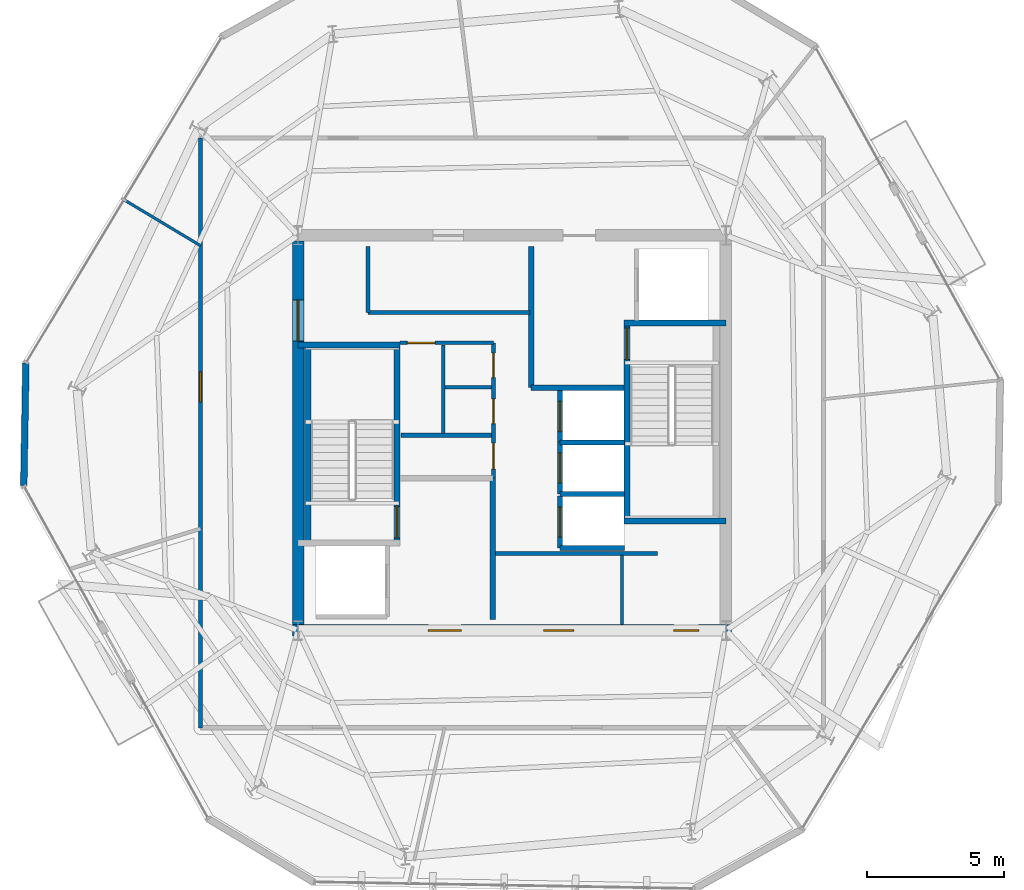
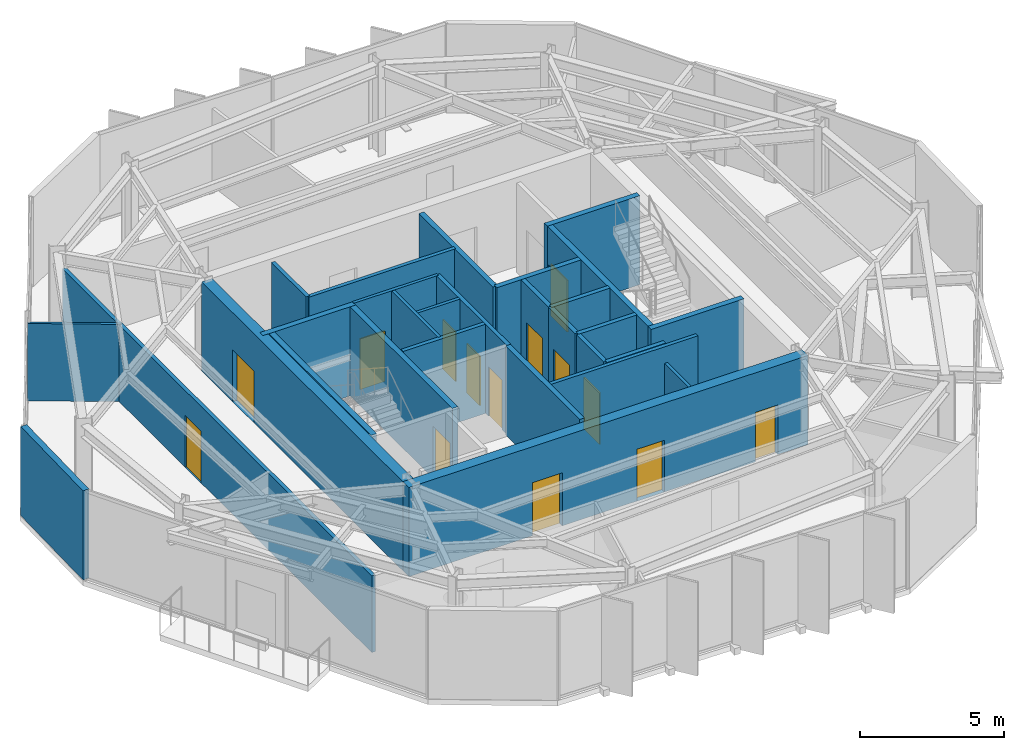
# One storey, part 7 of 10: 29 walls, 14 doors, 14 openings.
"""IFC4 building model written with IfcOpenShell, lengths in metres."""

from ifc_helpers import new_model, si_unit, direction, frame, frame_2d, origin, place, context, subcontext, project, spatial, rectangle, extrude, material, layer, layer_set, type_object, element, fill, save


model = new_model("IFC4")

# Units and contexts
model_context = context("Model", 3, precision=1e-05, world=origin(), true_north=direction((0.0, 1.0)))
body_context = subcontext(model_context, "Body", "Model", "MODEL_VIEW")
ifc_project = project(units=[si_unit("LENGTHUNIT", "METRE"), si_unit("AREAUNIT", "SQUARE_METRE"), si_unit("VOLUMEUNIT", "CUBIC_METRE"), si_unit("PLANEANGLEUNIT", "RADIAN"), si_unit("MASSUNIT", "GRAM", prefix="KILO")], contexts=[model_context])

# Site, building, storey
site_placement = place(None, origin())
site = spatial("IfcSite", under=ifc_project, at=site_placement, CompositionType="ELEMENT")
building_placement = place(site_placement, origin())
building = spatial("IfcBuilding", under=site, at=building_placement, Name="Kranzbogen Civic Tower", CompositionType="ELEMENT")
storey_placement = place(building_placement, frame((0.0, 0.0, 262.199951171875)))
storey = spatial("IfcBuildingStorey", under=building, at=storey_placement, Name="L63", CompositionType="ELEMENT", Elevation=262.199951171875)

# Walls
ifc_material_1 = material(Name="Double-Stud Acoustic Gypsum Partition")
ifc_layer_1 = layer(ifc_material_1, 0.14990234375, Name="Double-Stud Acoustic Gypsum Partition")
ifc_layer_set_1 = layer_set([ifc_layer_1], Name="Double-Stud Acoustic Gypsum Partition")
wall_type_1 = type_object("IfcWallType", Name="Acoustic Corridor and Clinical Partition 150 mm", PredefinedType="PARTITIONING", material=ifc_layer_set_1)
wall_1_placement = place(storey_placement, frame((24.39990234375, 20.610107421875, 0.0), z_axis=(0.0, 0.0, 1.0), x_axis=(1.0, 0.0, 0.0)))
element("IfcWall", 1, at=wall_1_placement, inside=storey, type_object=wall_type_1, Name="L63 records zone North wall", PredefinedType="PARTITIONING", context=body_context, shape_type="SweptSolid", body=[
    extrude(rectangle(XDim=5.900146484375, YDim=0.14990234375, at=frame_2d((2.9501953125, 0.0))), origin(), (0.0, 0.0, 1.0), 3.780029296875),
])
wall_2_placement = place(storey_placement, frame((19.75, 29.389892578125, 0.0), z_axis=(0.0, 0.0, 1.0), x_axis=(1.0, 0.0, 0.0)))
element("IfcWall", 2, at=wall_2_placement, inside=storey, type_object=wall_type_1, Name="L63 digital comms South wall", PredefinedType="PARTITIONING", context=body_context, shape_type="SweptSolid", body=[
    extrude(rectangle(XDim=5.89990234375, YDim=0.14990234375, at=frame_2d((2.949951171875, 0.0))), origin(), (0.0, 0.0, 1.0), 3.780029296875),
])
wall_3_placement = place(storey_placement, frame((19.75, 29.389892578125, 0.0), z_axis=(0.0, 0.0, 1.0), x_axis=(0.0, 1.0, 0.0)))
element("IfcWall", 3, at=wall_3_placement, inside=storey, type_object=wall_type_1, Name="L63 digital comms West wall", PredefinedType="PARTITIONING", context=body_context, shape_type="SweptSolid", body=[
    extrude(rectangle(XDim=2.41015625, YDim=0.14990234375, at=frame_2d((1.205078125, 0.0))), origin(), (0.0, 0.0, 1.0), 3.780029296875),
])

# Wall, opening, door
wall_4_placement = place(storey_placement, frame((13.64990234375, 14.25, 0.0), z_axis=(0.0, 0.0, 1.0), x_axis=(0.0, 1.0, 0.0)))
wall_4 = element("IfcWall", 4, at=wall_4_placement, inside=storey, type_object=wall_type_1, Name="L63 corridor partition 04", PredefinedType="PARTITIONING", context=body_context, shape_type="SweptSolid", body=[
    extrude(rectangle(XDim=21.5, YDim=0.14990234375, at=frame_2d((10.75, 0.0))), origin(), (0.0, 0.0, 1.0), 3.25),
])
opening_1_placement = place(wall_4_placement, frame((11.8759765625, 0.0, 0.0)))
opening_1 = element("IfcOpeningElement", 5, at=opening_1_placement, cuts=wall_4, Name="Opening D-COR60", PredefinedType="OPENING", context=body_context, shape_type="SweptSolid", body=[
    extrude(rectangle(XDim=1.10009765625, YDim=2.199951171875, at=frame_2d((0.550048828125, 1.10009765625))), frame((0.0, 0.0849609375, 0.0), z_axis=(0.0, -1.0, 0.0), x_axis=(1.0, 0.0, 0.0)), (0.0, 0.0, 1.0), 0.169921875),
])
ifc_material_2 = material(Name="Oak Timber and Fire Core", Category="wood")
door_type_1 = type_object("IfcDoorType", Name="Corridor Acoustic Fire Door 1100x2200", OperationType="NOTDEFINED", PredefinedType="DOOR", material=ifc_material_2)
door_1_placement = place(opening_1_placement, origin())
door_1 = element("IfcDoor", 6, at=door_1_placement, inside=storey, type_object=door_type_1, Name="L63 Citizen Services Kiosk door", OperationType="SINGLE_SWING_RIGHT", OverallHeight=2.199951171875, OverallWidth=1.10009765625, PredefinedType="DOOR", context=body_context, shape_type="SweptSolid", body=[
    extrude(rectangle(XDim=1.10009765625, YDim=2.199951171875, at=frame_2d((0.550048828125, 1.10009765625))), frame((0.0, 0.02490234375, 0.0), z_axis=(0.0, -1.0, 0.0), x_axis=(1.0, 0.0, 0.0)), (0.0, 0.0, 1.0), 0.050048828125),
])
fill(opening_1, door_1)

ifc_material_3 = material(Name="Insulated Metal-Stud Gypsum Partition")
ifc_layer_2 = layer(ifc_material_3, 0.125, Name="Insulated Metal-Stud Gypsum Partition")
ifc_layer_set_2 = layer_set([ifc_layer_2], Name="Insulated Metal-Stud Gypsum Partition")
wall_type_2 = type_object("IfcWallType", Name="Acoustic Inter-Room Partition 125 mm", PredefinedType="PARTITIONING", material=ifc_layer_set_2)
wall_5_placement = place(storey_placement, frame((20.919921875, 28.280029296875, 0.0), z_axis=(0.0, 0.0, 1.0), x_axis=(1.0, 0.0, 0.0)))
wall_5 = element("IfcWall", 7, at=wall_5_placement, inside=storey, type_object=wall_type_2, Name="L63 core auxiliary North wall", PredefinedType="PARTITIONING", context=body_context, shape_type="SweptSolid", body=[
    extrude(rectangle(XDim=3.405029296875, YDim=0.125, at=frame_2d((1.70263671875, 0.0))), origin(), (0.0, 0.0, 1.0), 3.780029296875),
])
opening_2_placement = place(wall_5_placement, frame((0.27001953125, 0.0, 0.0)))
opening_2 = element("IfcOpeningElement", 8, at=opening_2_placement, cuts=wall_5, Name="Opening D-RSR10", PredefinedType="OPENING", context=body_context, shape_type="SweptSolid", body=[
    extrude(rectangle(XDim=1.0, YDim=2.14990234375, at=frame_2d((0.5, 1.074951171875))), frame((0.0, 0.072509765625, 0.0), z_axis=(0.0, -1.0, 0.0), x_axis=(1.0, 0.0, 0.0)), (0.0, 0.0, 1.0), 0.14501953125),
])
door_type_2 = type_object("IfcDoorType", Name="Core Archive and Riser Fire Door 1000x2150", OperationType="NOTDEFINED", PredefinedType="DOOR", material=ifc_material_2)
door_2_placement = place(opening_2_placement, origin())
door_2 = element("IfcDoor", 9, at=door_2_placement, inside=storey, type_object=door_type_2, Name="L63 Floor Supply Store door", OperationType="SINGLE_SWING_RIGHT", OverallHeight=2.14990234375, OverallWidth=1.0, PredefinedType="DOOR", context=body_context, shape_type="SweptSolid", body=[
    extrude(rectangle(XDim=1.0, YDim=2.14990234375, at=frame_2d((0.5, 1.074951171875))), frame((0.0, 0.02490234375, 0.0), z_axis=(0.0, -1.0, 0.0), x_axis=(1.0, 0.0, 0.0)), (0.0, 0.0, 1.0), 0.050048828125),
])
fill(opening_2, door_2)

# Walls
wall_6_placement = place(storey_placement, frame((29.010009765625, 18.010009765625, 0.0), z_axis=(0.0, 0.0, 1.0), x_axis=(0.0, 1.0, 0.0)))
element("IfcWall", 10, at=wall_6_placement, inside=storey, type_object=wall_type_2, Name="L63 core auxiliary partition 1", PredefinedType="PARTITIONING", context=body_context, shape_type="SweptSolid", body=[
    extrude(rectangle(XDim=2.5400390625, YDim=0.125, at=frame_2d((1.27001953125, 0.0))), origin(), (0.0, 0.0, 1.0), 3.080078125),
])
wall_7_placement = place(storey_placement, frame((22.489990234375, 24.969970703125, 0.0), z_axis=(0.0, 0.0, 1.0), x_axis=(0.0, 1.0, 0.0)))
element("IfcWall", 11, at=wall_7_placement, inside=storey, type_object=wall_type_2, Name="L63 core auxiliary partition 3", PredefinedType="PARTITIONING", context=body_context, shape_type="SweptSolid", body=[
    extrude(rectangle(XDim=3.22998046875, YDim=0.125, at=frame_2d((1.614990234375, 0.0))), origin(), (0.0, 0.0, 1.0), 3.780029296875),
])
wall_8_placement = place(storey_placement, frame((22.550048828125, 26.659912109375, 0.0), z_axis=(0.0, 0.0, 1.0), x_axis=(1.0, 0.0, 0.0)))
element("IfcWall", 12, at=wall_8_placement, inside=storey, type_object=wall_type_2, Name="L63 core auxiliary partition 4", PredefinedType="PARTITIONING", context=body_context, shape_type="SweptSolid", body=[
    extrude(rectangle(XDim=1.699951171875, YDim=0.125, at=frame_2d((0.85009765625, 0.0))), origin(), (0.0, 0.0, 1.0), 3.780029296875),
])

# Wall, openings, doors
ifc_material_4 = material(Name="Concrete C45/55", Category="concrete")
ifc_layer_3 = layer(ifc_material_4, 0.419921875, Name="Concrete C45/55")
ifc_layer_set_3 = layer_set([ifc_layer_3], Name="Concrete C45/55")
wall_type_3 = type_object("IfcWallType", Name="Central Core Shear Wall 420 mm", PredefinedType="SHEAR", material=ifc_layer_set_3)
wall_9_placement = place(storey_placement, frame((16.989990234375, 17.800048828125, 0.0), z_axis=(0.0, 0.0, 1.0), x_axis=(1.0, 0.0, 0.0)))
wall_9 = element("IfcWall", 13, at=wall_9_placement, inside=storey, type_object=wall_type_3, Name="L63 central core South shear wall", PredefinedType="SHEAR", context=body_context, shape_type="SweptSolid", body=[
    extrude(rectangle(XDim=16.02001953125, YDim=0.419921875, at=frame_2d((8.010009765625, 0.0))), origin(), (0.0, 0.0, 1.0), 3.780029296875),
])
opening_3_placement = place(wall_9_placement, frame((4.9599609375, 0.0, 0.0)))
opening_3 = element("IfcOpeningElement", 14, at=opening_3_placement, cuts=wall_9, Name="Opening D-EX120", PredefinedType="OPENING", context=body_context, shape_type="SweptSolid", body=[
    extrude(rectangle(XDim=1.199951171875, YDim=2.25, at=frame_2d((0.60009765625, 1.125))), frame((0.0, 0.219970703125, 0.0), z_axis=(0.0, -1.0, 0.0), x_axis=(1.0, 0.0, 0.0)), (0.0, 0.0, 1.0), 0.43994140625),
])
opening_4_placement = place(wall_9_placement, frame((13.909912109375, 0.0, 0.0)))
opening_4 = element("IfcOpeningElement", 15, at=opening_4_placement, cuts=wall_9, Name="Opening D-WC90", PredefinedType="OPENING", context=body_context, shape_type="SweptSolid", body=[
    extrude(rectangle(XDim=0.89990234375, YDim=2.10009765625, at=frame_2d((0.449951171875, 1.050048828125))), frame((0.0, 0.219970703125, 0.0), z_axis=(0.0, -1.0, 0.0), x_axis=(1.0, 0.0, 0.0)), (0.0, 0.0, 1.0), 0.43994140625),
])
opening_5_placement = place(wall_9_placement, frame((9.159912109375, 0.0, 0.0)))
opening_5 = element("IfcOpeningElement", 16, at=opening_5_placement, cuts=wall_9, Name="Opening D-COR60", PredefinedType="OPENING", context=body_context, shape_type="SweptSolid", body=[
    extrude(rectangle(XDim=1.10009765625, YDim=2.199951171875, at=frame_2d((0.550048828125, 1.10009765625))), frame((0.0, 0.219970703125, 0.0), z_axis=(0.0, -1.0, 0.0), x_axis=(1.0, 0.0, 0.0)), (0.0, 0.0, 1.0), 0.43994140625),
])
door_3_placement = place(opening_5_placement, origin())
door_3 = element("IfcDoor", 17, at=door_3_placement, inside=storey, type_object=door_type_1, Name="L63 REC1 archive room door", OperationType="SINGLE_SWING_RIGHT", OverallHeight=2.199951171875, OverallWidth=1.10009765625, PredefinedType="DOOR", context=body_context, shape_type="SweptSolid", body=[
    extrude(rectangle(XDim=1.10009765625, YDim=2.199951171875, at=frame_2d((0.550048828125, 1.10009765625))), frame((0.0, 0.02490234375, 0.0), z_axis=(0.0, -1.0, 0.0), x_axis=(1.0, 0.0, 0.0)), (0.0, 0.0, 1.0), 0.050048828125),
])
fill(opening_5, door_3)
ifc_material_5 = material(Name="Steel S355", Category="steel")
door_type_3 = type_object("IfcDoorType", Name="Exit Passageway Fire Door 1200x2250", OperationType="NOTDEFINED", PredefinedType="DOOR", material=ifc_material_5)
door_4_placement = place(opening_3_placement, origin())
door_4 = element("IfcDoor", 18, at=door_4_placement, inside=storey, type_object=door_type_3, Name="L63 West firefighting lobby corridor door", OperationType="SINGLE_SWING_LEFT", OverallHeight=2.25, OverallWidth=1.199951171875, PredefinedType="DOOR", context=body_context, shape_type="SweptSolid", body=[
    extrude(rectangle(XDim=1.199951171875, YDim=2.25, at=frame_2d((0.60009765625, 1.125))), frame((0.0, 0.02490234375, 0.0), z_axis=(0.0, -1.0, 0.0), x_axis=(1.0, 0.0, 0.0)), (0.0, 0.0, 1.0), 0.050048828125),
])
fill(opening_3, door_4)
ifc_material_6 = material(Name="Moisture-Resistant Laminate")
door_type_4 = type_object("IfcDoorType", Name="Standard Restroom and Store Door 900x2100", OperationType="NOTDEFINED", PredefinedType="DOOR", material=ifc_material_6)
door_5_placement = place(opening_4_placement, origin())
door_5 = element("IfcDoor", 19, at=door_5_placement, inside=storey, type_object=door_type_4, Name="L63 East electrical riser access door", OperationType="SINGLE_SWING_LEFT", OverallHeight=2.10009765625, OverallWidth=0.89990234375, PredefinedType="DOOR", context=body_context, shape_type="SweptSolid", body=[
    extrude(rectangle(XDim=0.89990234375, YDim=2.10009765625, at=frame_2d((0.449951171875, 1.050048828125))), frame((0.0, 0.02490234375, 0.0), z_axis=(0.0, -1.0, 0.0), x_axis=(1.0, 0.0, 0.0)), (0.0, 0.0, 1.0), 0.050048828125),
])
fill(opening_4, door_5)

# Wall, opening, door
wall_10_placement = place(storey_placement, frame((17.199951171875, 31.989990234375, 0.0), z_axis=(0.0, 0.0, 1.0), x_axis=(0.0, -1.0, 0.0)))
wall_10 = element("IfcWall", 20, at=wall_10_placement, inside=storey, type_object=wall_type_3, Name="L63 central core West shear wall", PredefinedType="SHEAR", context=body_context, shape_type="SweptSolid", body=[
    extrude(rectangle(XDim=13.97998046875, YDim=0.419921875, at=frame_2d((6.989990234375, 0.0))), origin(), (0.0, 0.0, 1.0), 3.780029296875),
])
opening_6_placement = place(wall_10_placement, frame((2.139892578125, 0.0, 0.0)))
opening_6 = element("IfcOpeningElement", 21, at=opening_6_placement, cuts=wall_10, Name="Opening D-DBL15", PredefinedType="OPENING", context=body_context, shape_type="SweptSolid", body=[
    extrude(rectangle(XDim=1.5, YDim=2.199951171875, at=frame_2d((0.75, 1.10009765625))), frame((0.0, 0.219970703125, 0.0), z_axis=(0.0, -1.0, 0.0), x_axis=(1.0, 0.0, 0.0)), (0.0, 0.0, 1.0), 0.43994140625),
])
ifc_material_7 = material(Name="Anodised Bronze and Glass", Category="glass")
door_type_5 = type_object("IfcDoorType", Name="Civic Lobby Double Door 1500x2200", OperationType="DOUBLE_DOOR_SINGLE_SWING", PredefinedType="DOOR", material=ifc_material_7)
door_6_placement = place(opening_6_placement, origin())
door_6 = element("IfcDoor", 22, at=door_6_placement, inside=storey, type_object=door_type_5, Name="L63 Central Lift Lobby West concourse door", OperationType="DOUBLE_DOOR_SINGLE_SWING", OverallHeight=2.199951171875, OverallWidth=1.5, PredefinedType="DOOR", context=body_context, shape_type="SweptSolid", body=[
    extrude(rectangle(XDim=1.5, YDim=2.199951171875, at=frame_2d((0.75, 1.10009765625))), frame((0.0, 0.02490234375, 0.0), z_axis=(0.0, -1.0, 0.0), x_axis=(1.0, 0.0, 0.0)), (0.0, 0.0, 1.0), 0.050048828125),
])
fill(opening_6, door_6)

ifc_layer_4 = layer(ifc_material_4, 0.219970703125, Name="Concrete C45/55")
ifc_layer_set_4 = layer_set([ifc_layer_4], Name="Concrete C45/55")
wall_type_4 = type_object("IfcWallType", Name="Core Internal Stair Structural Wall 220 mm", PredefinedType="SOLIDWALL", material=ifc_layer_set_4)
wall_11_placement = place(storey_placement, frame((20.81005859375, 20.989990234375, 0.0), z_axis=(0.0, 0.0, 1.0), x_axis=(0.0, 1.0, 0.0)))
wall_11 = element("IfcWall", 23, at=wall_11_placement, inside=storey, type_object=wall_type_4, Name="L63 ST-T1 East structural stair wall", PredefinedType="SOLIDWALL", context=body_context, shape_type="SweptSolid", body=[
    extrude(rectangle(XDim=7.219970703125, YDim=0.219970703125, at=frame_2d((3.60986328125, 0.0))), origin(), (0.0, 0.0, 1.0), 3.780029296875),
])
opening_7_placement = place(wall_11_placement, frame((0.179931640625, 0.0, 0.0)))
opening_7 = element("IfcOpeningElement", 24, at=opening_7_placement, cuts=wall_11, Name="Opening D-ST90", PredefinedType="OPENING", context=body_context, shape_type="SweptSolid", body=[
    extrude(rectangle(XDim=1.14990234375, YDim=2.199951171875, at=frame_2d((0.574951171875, 1.10009765625))), frame((0.0, 0.1201171875, 0.0), z_axis=(0.0, -1.0, 0.0), x_axis=(1.0, 0.0, 0.0)), (0.0, 0.0, 1.0), 0.239990234375),
])
door_type_6 = type_object("IfcDoorType", Name="Pressurized Stair and Lobby Fire Door 1150x2200", OperationType="NOTDEFINED", PredefinedType="DOOR", material=ifc_material_5)
door_7_placement = place(opening_7_placement, origin())
door_7 = element("IfcDoor", 25, at=door_7_placement, inside=storey, type_object=door_type_6, Name="L63 Stair ST-T1 fire door", OperationType="SINGLE_SWING_LEFT", OverallHeight=2.199951171875, OverallWidth=1.14990234375, PredefinedType="DOOR", context=body_context, shape_type="SweptSolid", body=[
    extrude(rectangle(XDim=1.14990234375, YDim=2.199951171875, at=frame_2d((0.574951171875, 1.10009765625))), frame((0.0, 0.02490234375, 0.0), z_axis=(0.0, -1.0, 0.0), x_axis=(1.0, 0.0, 0.0)), (0.0, 0.0, 1.0), 0.050048828125),
])
fill(opening_7, door_7)

# Walls
wall_12_placement = place(storey_placement, frame((17.199951171875, 28.2099609375, 0.0), z_axis=(0.0, 0.0, 1.0), x_axis=(1.0, 0.0, 0.0)))
element("IfcWall", 26, at=wall_12_placement, inside=storey, type_object=wall_type_4, Name="L63 ST-T1 North structural stair wall", PredefinedType="SOLIDWALL", context=body_context, shape_type="SweptSolid", body=[
    extrude(rectangle(XDim=3.719970703125, YDim=0.219970703125, at=frame_2d((1.85986328125, 0.0))), origin(), (0.0, 0.0, 1.0), 3.780029296875),
])
wall_13_placement = place(storey_placement, frame((17.554931640625, 28.2099609375, 0.0), z_axis=(0.0, 0.0, 1.0), x_axis=(0.0, -1.0, 0.0)))
element("IfcWall", 27, at=wall_13_placement, inside=storey, type_object=wall_type_4, Name="L63 ST-T1 West structural stair wall", PredefinedType="SOLIDWALL", context=body_context, shape_type="SweptSolid", body=[
    extrude(rectangle(XDim=7.219970703125, YDim=0.219970703125, at=frame_2d((3.60986328125, 0.0))), origin(), (0.0, 0.0, 1.0), 3.780029296875),
])

# Wall, opening, door
wall_14_placement = place(storey_placement, frame((29.18994140625, 21.7900390625, 0.0), z_axis=(0.0, 0.0, 1.0), x_axis=(0.0, 1.0, 0.0)))
wall_14 = element("IfcWall", 28, at=wall_14_placement, inside=storey, type_object=wall_type_4, Name="L63 ST-T2 West structural stair wall", PredefinedType="SOLIDWALL", context=body_context, shape_type="SweptSolid", body=[
    extrude(rectangle(XDim=7.219970703125, YDim=0.219970703125, at=frame_2d((3.60986328125, 0.0))), origin(), (0.0, 0.0, 1.0), 3.780029296875),
])
opening_8_placement = place(wall_14_placement, frame((5.8798828125, 0.0, 0.0)))
opening_8 = element("IfcOpeningElement", 29, at=opening_8_placement, cuts=wall_14, Name="Opening D-ST90", PredefinedType="OPENING", context=body_context, shape_type="SweptSolid", body=[
    extrude(rectangle(XDim=1.14990234375, YDim=2.199951171875, at=frame_2d((0.574951171875, 1.10009765625))), frame((0.0, 0.1201171875, 0.0), z_axis=(0.0, -1.0, 0.0), x_axis=(1.0, 0.0, 0.0)), (0.0, 0.0, 1.0), 0.239990234375),
])
door_8_placement = place(opening_8_placement, origin())
door_8 = element("IfcDoor", 30, at=door_8_placement, inside=storey, type_object=door_type_6, Name="L63 Stair ST-T2 fire door", OperationType="SINGLE_SWING_RIGHT", OverallHeight=2.199951171875, OverallWidth=1.14990234375, PredefinedType="DOOR", context=body_context, shape_type="SweptSolid", body=[
    extrude(rectangle(XDim=1.14990234375, YDim=2.199951171875, at=frame_2d((0.574951171875, 1.10009765625))), frame((0.0, 0.02490234375, 0.0), z_axis=(0.0, -1.0, 0.0), x_axis=(1.0, 0.0, 0.0)), (0.0, 0.0, 1.0), 0.050048828125),
])
fill(opening_8, door_8)

# Walls
for number, where, z_axis, x_axis, name in (
    (31, (29.080078125, 21.7900390625, 0.0), (0.0, 0.0, 1.0), (1.0, 0.0, 0.0), "L63 ST-T2 South structural stair wall"),
    (32, (29.080078125, 29.010009765625, 0.0), (0.0, 0.0, 1.0), (1.0, 0.0, 0.0), "L63 ST-T2 North structural stair wall"),
):
    element("IfcWall", number, at=place(storey_placement, frame(where, z_axis=z_axis, x_axis=x_axis)), inside=storey, type_object=wall_type_4, Name=name, PredefinedType="SOLIDWALL", context=body_context, shape_type="SweptSolid", body=[
        extrude(rectangle(XDim=3.719970703125, YDim=0.219970703125, at=frame_2d((1.85986328125, 0.0))), origin(), (0.0, 0.0, 1.0), 3.780029296875),
    ])
ifc_material_8 = material(Name="Demountable Aluminium and Gypsum Partition", Category="aluminium")
ifc_layer_5 = layer(ifc_material_8, 0.10009765625, Name="Demountable Aluminium and Gypsum Partition")
ifc_layer_set_5 = layer_set([ifc_layer_5], Name="Demountable Aluminium and Gypsum Partition")
wall_type_5 = type_object("IfcWallType", Name="Demountable Office Partition 100 mm", PredefinedType="MOVABLE", material=ifc_layer_set_5)
wall_15_placement = place(storey_placement, frame((13.64990234375, 31.820068359375, 0.0), z_axis=(0.0, 0.0, 1.0), x_axis=(-0.857160152971, 0.515049970545, 0.0)))
element("IfcWall", 33, at=wall_15_placement, inside=storey, type_object=wall_type_5, Name="L63 radial room partition 02", PredefinedType="MOVABLE", context=body_context, shape_type="SweptSolid", body=[
    extrude(rectangle(XDim=3.238525390625, YDim=0.10009765625, at=frame_2d((1.619140625, 0.0))), origin(), (0.0, 0.0, 1.0), 3.280029296875),
])
ifc_material_9 = material(Name="Gypsum Fireboard and Concrete Block", Category="concrete")
ifc_layer_6 = layer(ifc_material_9, 0.199951171875, Name="Gypsum Fireboard and Concrete Block")
ifc_layer_set_6 = layer_set([ifc_layer_6], Name="Gypsum Fireboard and Concrete Block")
wall_type_6 = type_object("IfcWallType", Name="Fire-Rated Exit Passageway and Stair Wall 200 mm", PredefinedType="PARTITIONING", material=ifc_layer_set_6)
for number, where, z_axis, x_axis, name in (
    (34, (24.300048828125, 18.199951171875, 0.0), (0.0, 0.0, 1.0), (0.0, 1.0, 0.0), "L63 West firefighting lobby East wall"),
    (35, (25.699951171875, 26.64990234375, 0.0), (0.0, 0.0, 1.0), (0.0, 1.0, 0.0), "L63 East firefighting lobby West wall"),
):
    element("IfcWall", number, at=place(storey_placement, frame(where, z_axis=z_axis, x_axis=x_axis)), inside=storey, type_object=wall_type_6, Name=name, PredefinedType="PARTITIONING", context=body_context, shape_type="SweptSolid", body=[
        extrude(rectangle(XDim=5.150146484375, YDim=0.199951171875, at=frame_2d((2.5751953125, 0.0))), origin(), (0.0, 0.0, 1.0), 3.780029296875),
    ])
wall_16_placement = place(storey_placement, frame((25.699951171875, 26.64990234375, 0.0), z_axis=(0.0, 0.0, 1.0), x_axis=(1.0, 0.0, 0.0)))
element("IfcWall", 36, at=wall_16_placement, inside=storey, type_object=wall_type_6, Name="L63 East firefighting lobby South wall", PredefinedType="PARTITIONING", context=body_context, shape_type="SweptSolid", body=[
    extrude(rectangle(XDim=3.380126953125, YDim=0.199951171875, at=frame_2d((1.68994140625, 0.0))), origin(), (0.0, 0.0, 1.0), 3.780029296875),
])

# Wall, opening, door
ifc_material_10 = material(Name="Gypsum Fireboard Shaftliner")
ifc_layer_7 = layer(ifc_material_10, 0.175048828125, Name="Gypsum Fireboard Shaftliner")
ifc_layer_set_7 = layer_set([ifc_layer_7], Name="Gypsum Fireboard Shaftliner")
wall_type_7 = type_object("IfcWallType", Name="Fire-Rated Lift and Service Shaft Wall 175 mm", PredefinedType="PARTITIONING", material=ifc_layer_set_7)
wall_17_placement = place(storey_placement, frame((26.75, 20.800048828125, 0.0), z_axis=(0.0, 0.0, 1.0), x_axis=(0.0, 1.0, 0.0)))
wall_17 = element("IfcWall", 37, at=wall_17_placement, inside=storey, type_object=wall_type_7, Name="L63 lift HP-01 landing wall", PredefinedType="PARTITIONING", context=body_context, shape_type="SweptSolid", body=[
    extrude(rectangle(XDim=1.89990234375, YDim=0.175048828125, at=frame_2d((0.949951171875, 0.0))), origin(), (0.0, 0.0, 1.0), 3.780029296875),
])
opening_9_placement = place(wall_17_placement, frame((0.39990234375, 0.0, 0.0)))
opening_9 = element("IfcOpeningElement", 38, at=opening_9_placement, cuts=wall_17, Name="Opening LD-HP-01", PredefinedType="OPENING", context=body_context, shape_type="SweptSolid", body=[
    extrude(rectangle(XDim=1.10009765625, YDim=2.199951171875, at=frame_2d((0.550048828125, 1.10009765625))), frame((0.0, 0.09765625, 0.0), z_axis=(0.0, -1.0, 0.0), x_axis=(1.0, 0.0, 0.0)), (0.0, 0.0, 1.0), 0.195068359375),
])
ifc_material_11 = material(Name="Pale Anodised Aluminium", Category="aluminium")
door_type_7 = type_object("IfcDoorType", Name="Passenger Lift Sliding Landing Door 1100x2200", OperationType="DOUBLE_DOOR_SLIDING", PredefinedType="DOOR", material=ifc_material_11)
door_9_placement = place(opening_9_placement, origin())
door_9 = element("IfcDoor", 39, at=door_9_placement, inside=storey, type_object=door_type_7, Name="L63 lift HP-01 sliding landing door", OperationType="DOUBLE_DOOR_SLIDING", OverallHeight=2.199951171875, OverallWidth=1.10009765625, PredefinedType="DOOR", context=body_context, shape_type="SweptSolid", body=[
    extrude(rectangle(XDim=1.10009765625, YDim=2.199951171875, at=frame_2d((0.550048828125, 1.10009765625))), frame((0.0, 0.02490234375, 0.0), z_axis=(0.0, -1.0, 0.0), x_axis=(1.0, 0.0, 0.0)), (0.0, 0.0, 1.0), 0.050048828125),
])
fill(opening_9, door_9)

# Wall
wall_18_placement = place(storey_placement, frame((26.75, 20.800048828125, 0.0), z_axis=(0.0, 0.0, 1.0), x_axis=(1.0, 0.0, 0.0)))
element("IfcWall", 40, at=wall_18_placement, inside=storey, type_object=wall_type_7, Name="L63 lift HP-01 side wall", PredefinedType="PARTITIONING", context=body_context, shape_type="SweptSolid", body=[
    extrude(rectangle(XDim=2.35009765625, YDim=0.175048828125, at=frame_2d((1.175048828125, 0.0))), origin(), (0.0, 0.0, 1.0), 3.780029296875),
])

# Wall, opening, door
wall_19_placement = place(storey_placement, frame((26.75, 22.77490234375, 0.0), z_axis=(0.0, 0.0, 1.0), x_axis=(0.0, 1.0, 0.0)))
wall_19 = element("IfcWall", 41, at=wall_19_placement, inside=storey, type_object=wall_type_7, Name="L63 lift HP-02 landing wall", PredefinedType="PARTITIONING", context=body_context, shape_type="SweptSolid", body=[
    extrude(rectangle(XDim=1.900146484375, YDim=0.175048828125, at=frame_2d((0.9501953125, 0.0))), origin(), (0.0, 0.0, 1.0), 3.780029296875),
])
opening_10_placement = place(wall_19_placement, frame((0.39990234375, 0.0, 0.0)))
opening_10 = element("IfcOpeningElement", 42, at=opening_10_placement, cuts=wall_19, Name="Opening LD-HP-02", PredefinedType="OPENING", context=body_context, shape_type="SweptSolid", body=[
    extrude(rectangle(XDim=1.10009765625, YDim=2.199951171875, at=frame_2d((0.550048828125, 1.10009765625))), frame((0.0, 0.09765625, 0.0), z_axis=(0.0, -1.0, 0.0), x_axis=(1.0, 0.0, 0.0)), (0.0, 0.0, 1.0), 0.195068359375),
])
door_10_placement = place(opening_10_placement, origin())
door_10 = element("IfcDoor", 43, at=door_10_placement, inside=storey, type_object=door_type_7, Name="L63 lift HP-02 sliding landing door", OperationType="DOUBLE_DOOR_SLIDING", OverallHeight=2.199951171875, OverallWidth=1.10009765625, PredefinedType="DOOR", context=body_context, shape_type="SweptSolid", body=[
    extrude(rectangle(XDim=1.10009765625, YDim=2.199951171875, at=frame_2d((0.550048828125, 1.10009765625))), frame((0.0, 0.02490234375, 0.0), z_axis=(0.0, -1.0, 0.0), x_axis=(1.0, 0.0, 0.0)), (0.0, 0.0, 1.0), 0.050048828125),
])
fill(opening_10, door_10)

# Wall
wall_20_placement = place(storey_placement, frame((26.75, 22.77490234375, 0.0), z_axis=(0.0, 0.0, 1.0), x_axis=(1.0, 0.0, 0.0)))
element("IfcWall", 44, at=wall_20_placement, inside=storey, type_object=wall_type_7, Name="L63 lift HP-02 side wall", PredefinedType="PARTITIONING", context=body_context, shape_type="SweptSolid", body=[
    extrude(rectangle(XDim=2.35009765625, YDim=0.175048828125, at=frame_2d((1.175048828125, 0.0))), origin(), (0.0, 0.0, 1.0), 3.780029296875),
])

# Wall, opening, door
wall_21_placement = place(storey_placement, frame((26.75, 24.64990234375, 0.0), z_axis=(0.0, 0.0, 1.0), x_axis=(0.0, 1.0, 0.0)))
wall_21 = element("IfcWall", 45, at=wall_21_placement, inside=storey, type_object=wall_type_7, Name="L63 lift HP-03 landing wall", PredefinedType="PARTITIONING", context=body_context, shape_type="SweptSolid", body=[
    extrude(rectangle(XDim=1.900146484375, YDim=0.175048828125, at=frame_2d((0.9501953125, 0.0))), origin(), (0.0, 0.0, 1.0), 3.780029296875),
])
opening_11_placement = place(wall_21_placement, frame((0.39990234375, 0.0, 0.0)))
opening_11 = element("IfcOpeningElement", 46, at=opening_11_placement, cuts=wall_21, Name="Opening LD-HP-03", PredefinedType="OPENING", context=body_context, shape_type="SweptSolid", body=[
    extrude(rectangle(XDim=1.10009765625, YDim=2.199951171875, at=frame_2d((0.550048828125, 1.10009765625))), frame((0.0, 0.09765625, 0.0), z_axis=(0.0, -1.0, 0.0), x_axis=(1.0, 0.0, 0.0)), (0.0, 0.0, 1.0), 0.195068359375),
])
door_11_placement = place(opening_11_placement, origin())
door_11 = element("IfcDoor", 47, at=door_11_placement, inside=storey, type_object=door_type_7, Name="L63 lift HP-03 sliding landing door", OperationType="DOUBLE_DOOR_SLIDING", OverallHeight=2.199951171875, OverallWidth=1.10009765625, PredefinedType="DOOR", context=body_context, shape_type="SweptSolid", body=[
    extrude(rectangle(XDim=1.10009765625, YDim=2.199951171875, at=frame_2d((0.550048828125, 1.10009765625))), frame((0.0, 0.02490234375, 0.0), z_axis=(0.0, -1.0, 0.0), x_axis=(1.0, 0.0, 0.0)), (0.0, 0.0, 1.0), 0.050048828125),
])
fill(opening_11, door_11)

# Walls
wall_22_placement = place(storey_placement, frame((26.75, 24.64990234375, 0.0), z_axis=(0.0, 0.0, 1.0), x_axis=(1.0, 0.0, 0.0)))
element("IfcWall", 48, at=wall_22_placement, inside=storey, type_object=wall_type_7, Name="L63 lift HP-03 side wall", PredefinedType="PARTITIONING", context=body_context, shape_type="SweptSolid", body=[
    extrude(rectangle(XDim=2.35009765625, YDim=0.175048828125, at=frame_2d((1.175048828125, 0.0))), origin(), (0.0, 0.0, 1.0), 3.780029296875),
])
ifc_layer_8 = layer(ifc_material_11, 0.239990234375, Name="Pale Anodised Aluminium")
ifc_layer_set_8 = layer_set([ifc_layer_8], Name="Pale Anodised Aluminium")
wall_type_8 = type_object("IfcWallType", Name="Insulated Aluminium Facade Portal Wall 240 mm", PredefinedType="STANDARD", material=ifc_layer_set_8)
wall_23_placement = place(storey_placement, frame((7.282958984375, 27.5419921875, 0.0), z_axis=(0.0, 0.0, 1.0), x_axis=(-0.017443339635, -0.999847853377, 0.0)))
element("IfcWall", 49, at=wall_23_placement, inside=storey, type_object=wall_type_8, Name="L63 chamfered corner facade spandrel 2", PredefinedType="STANDARD", context=body_context, shape_type="SweptSolid", body=[
    extrude(rectangle(XDim=4.46484375, YDim=0.239990234375, at=frame_2d((2.232421875, 0.0))), origin(), (0.0, 0.0, 1.0), 3.780029296875),
])

# Wall, openings, doors
ifc_material_12 = material(Name="Moisture-Resistant Gypsum Assembly")
ifc_layer_9 = layer(ifc_material_12, 0.159912109375, Name="Moisture-Resistant Gypsum Assembly")
ifc_layer_set_9 = layer_set([ifc_layer_9], Name="Moisture-Resistant Gypsum Assembly")
wall_type_9 = type_object("IfcWallType", Name="Sanitary and Plumbing Wet Wall 160 mm", PredefinedType="PLUMBINGWALL", material=ifc_layer_set_9)
wall_24_placement = place(storey_placement, frame((24.324951171875, 23.35009765625, 0.0), z_axis=(0.0, 0.0, 1.0), x_axis=(0.0, 1.0, 0.0)))
wall_24 = element("IfcWall", 50, at=wall_24_placement, inside=storey, type_object=wall_type_9, Name="L63 core auxiliary East wall", PredefinedType="PLUMBINGWALL", context=body_context, shape_type="SweptSolid", body=[
    extrude(rectangle(XDim=4.929931640625, YDim=0.159912109375, at=frame_2d((2.46484375, 0.0))), origin(), (0.0, 0.0, 1.0), 3.780029296875),
])
opening_12_placement = place(wall_24_placement, frame((0.324951171875, 0.0, 0.0)))
opening_12 = element("IfcOpeningElement", 51, at=opening_12_placement, cuts=wall_24, Name="Opening D-AWC95", PredefinedType="OPENING", context=body_context, shape_type="SweptSolid", body=[
    extrude(rectangle(XDim=0.949951171875, YDim=2.10009765625, at=frame_2d((0.47509765625, 1.050048828125))), frame((0.0, 0.08984375, 0.0), z_axis=(0.0, -1.0, 0.0), x_axis=(1.0, 0.0, 0.0)), (0.0, 0.0, 1.0), 0.179931640625),
])
opening_13_placement = place(wall_24_placement, frame((1.985107421875, 0.0, 0.0)))
opening_13 = element("IfcOpeningElement", 52, at=opening_13_placement, cuts=wall_24, Name="Opening D-WC90", PredefinedType="OPENING", context=body_context, shape_type="SweptSolid", body=[
    extrude(rectangle(XDim=0.89990234375, YDim=2.10009765625, at=frame_2d((0.449951171875, 1.050048828125))), frame((0.0, 0.08984375, 0.0), z_axis=(0.0, -1.0, 0.0), x_axis=(1.0, 0.0, 0.0)), (0.0, 0.0, 1.0), 0.179931640625),
])
opening_14_placement = place(wall_24_placement, frame((3.659912109375, 0.0, 0.0)))
opening_14 = element("IfcOpeningElement", 53, at=opening_14_placement, cuts=wall_24, Name="Opening D-WC90", PredefinedType="OPENING", context=body_context, shape_type="SweptSolid", body=[
    extrude(rectangle(XDim=0.89990234375, YDim=2.10009765625, at=frame_2d((0.449951171875, 1.050048828125))), frame((0.0, 0.08984375, 0.0), z_axis=(0.0, -1.0, 0.0), x_axis=(1.0, 0.0, 0.0)), (0.0, 0.0, 1.0), 0.179931640625),
])
door_type_8 = type_object("IfcDoorType", Name="Accessible Restroom Door 950x2100", OperationType="NOTDEFINED", PredefinedType="DOOR", material=ifc_material_6)
door_12_placement = place(opening_12_placement, origin())
door_12 = element("IfcDoor", 54, at=door_12_placement, inside=storey, type_object=door_type_8, Name="L63 Accessible Restroom door", OperationType="SINGLE_SWING_LEFT", OverallHeight=2.10009765625, OverallWidth=0.949951171875, PredefinedType="DOOR", context=body_context, shape_type="SweptSolid", body=[
    extrude(rectangle(XDim=0.949951171875, YDim=2.10009765625, at=frame_2d((0.47509765625, 1.050048828125))), frame((0.0, 0.02490234375, 0.0), z_axis=(0.0, -1.0, 0.0), x_axis=(1.0, 0.0, 0.0)), (0.0, 0.0, 1.0), 0.050048828125),
])
fill(opening_12, door_12)
door_13_placement = place(opening_13_placement, origin())
door_13 = element("IfcDoor", 55, at=door_13_placement, inside=storey, type_object=door_type_4, Name="L63 Gender-Neutral Restroom door", OperationType="SINGLE_SWING_RIGHT", OverallHeight=2.10009765625, OverallWidth=0.89990234375, PredefinedType="DOOR", context=body_context, shape_type="SweptSolid", body=[
    extrude(rectangle(XDim=0.89990234375, YDim=2.10009765625, at=frame_2d((0.449951171875, 1.050048828125))), frame((0.0, 0.02490234375, 0.0), z_axis=(0.0, -1.0, 0.0), x_axis=(1.0, 0.0, 0.0)), (0.0, 0.0, 1.0), 0.050048828125),
])
fill(opening_13, door_13)
door_14_placement = place(opening_14_placement, origin())
door_14 = element("IfcDoor", 56, at=door_14_placement, inside=storey, type_object=door_type_4, Name="L63 Floor IT Patch Closet door", OperationType="SINGLE_SWING_LEFT", OverallHeight=2.10009765625, OverallWidth=0.89990234375, PredefinedType="DOOR", context=body_context, shape_type="SweptSolid", body=[
    extrude(rectangle(XDim=0.89990234375, YDim=2.10009765625, at=frame_2d((0.449951171875, 1.050048828125))), frame((0.0, 0.02490234375, 0.0), z_axis=(0.0, -1.0, 0.0), x_axis=(1.0, 0.0, 0.0)), (0.0, 0.0, 1.0), 0.050048828125),
])
fill(opening_14, door_14)

# Wall
wall_25_placement = place(storey_placement, frame((20.949951171875, 24.909912109375, 0.0), z_axis=(0.0, 0.0, 1.0), x_axis=(1.0, 0.0, 0.0)))
element("IfcWall", 57, at=wall_25_placement, inside=storey, type_object=wall_type_9, Name="L63 core auxiliary partition 2", PredefinedType="PLUMBINGWALL", context=body_context, shape_type="SweptSolid", body=[
    extrude(rectangle(XDim=3.300048828125, YDim=0.159912109375, at=frame_2d((1.64990234375, 0.0))), origin(), (0.0, 0.0, 1.0), 3.780029296875),
])

save(model, "model.ifc")
